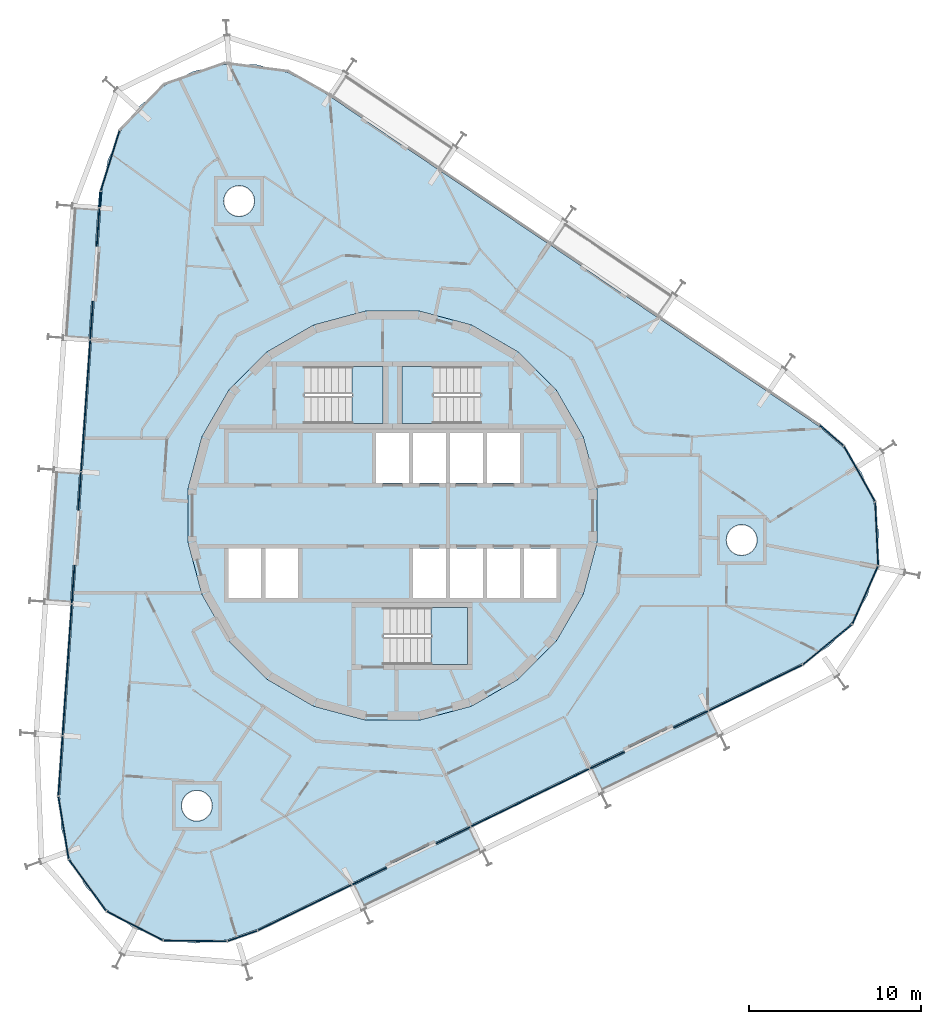
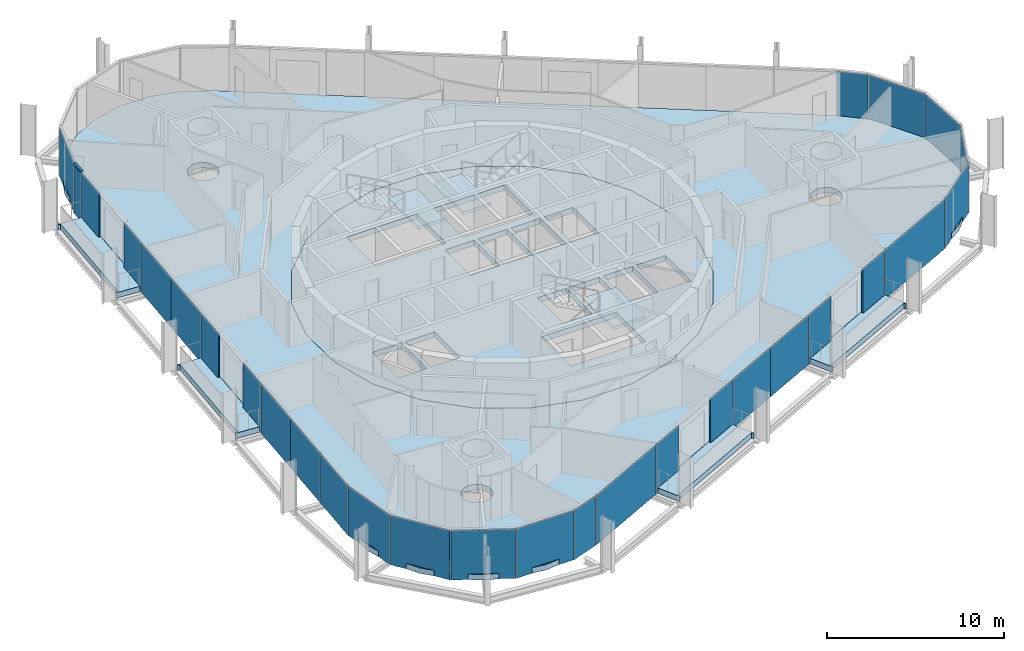
# One storey, part 10 of 17: 29 plates, 9 slabs, 1 member, 8 elements without a shape of their own.
"""IFC4 building model written with IfcOpenShell, lengths in metres."""

from ifc_helpers import new_model, si_unit, direction, frame, origin, origin_2d, place, context, subcontext, project, spatial, polyline, rectangle, outline, extrude, material, layer, layer_set, material_profile, profile_set, type_object, element, aggregate, save


model = new_model("IFC4")

# Units and contexts
model_context = context("Model", 3, precision=1e-05, world=origin(), true_north=direction((0.0, 1.0)))
body_context = subcontext(model_context, "Body", "Model", "MODEL_VIEW")
ifc_project = project(units=[si_unit("LENGTHUNIT", "METRE"), si_unit("AREAUNIT", "SQUARE_METRE"), si_unit("VOLUMEUNIT", "CUBIC_METRE"), si_unit("PLANEANGLEUNIT", "RADIAN"), si_unit("MASSUNIT", "GRAM", prefix="KILO")], contexts=[model_context])

# Site, building, storey
site_placement = place(None, origin())
site = spatial("IfcSite", under=ifc_project, at=site_placement, CompositionType="ELEMENT")
building_placement = place(site_placement, origin())
building = spatial("IfcBuilding", under=site, at=building_placement, Name="Spindle Arch Residences", CompositionType="ELEMENT")
storey_placement = place(building_placement, frame((0.0, 0.0, 209.39990234375)))
storey = spatial("IfcBuildingStorey", under=building, at=storey_placement, Name="L53", CompositionType="ELEMENT", Elevation=209.39990234375)

# Curtain wall, member
ifc_material_1 = material(Name="Aluminium bronze unitised frame with tinted glass", Category="aluminium")
ifc_layer_1 = layer(ifc_material_1, 0.159912109375)
ifc_layer_set_1 = layer_set([ifc_layer_1], Name="CW-D corner wall on the fillet arcs")
curtain_wall_type_1 = type_object("IfcCurtainWallType", Name="CW-D corner wall on the fillet arcs", PredefinedType="NOTDEFINED", material=ifc_layer_set_1)
curtain_wall_1_placement = place(storey_placement, origin())
curtain_wall_1 = element("IfcCurtainWall", 1, at=curtain_wall_1_placement, inside=storey, type_object=curtain_wall_type_1, Name="CW-D L53 run 3", PredefinedType="NOTDEFINED")
ifc_material_2 = material(Name="Aluminium bronze anodised transom", Category="aluminium")
ifc_material_profile = material_profile(ifc_material_2, rectangle(XDim=0.159912109375, YDim=0.1201171875, at=origin_2d()), Name="TR 120x160")
ifc_profile_set = profile_set([ifc_material_profile], Name="Aluminium bronze anodised transom")
member_type = type_object("IfcMemberType", Name="Bronze transom 120x160", PredefinedType="USERDEFINED", material=ifc_profile_set)
member_placement = place(storey_placement, frame((-16.98828125, 18.83447265625, 3.06005859375), z_axis=(-0.069692035463, -0.997568554132, 0.0), x_axis=(0.997568554132, -0.069692035463, 0.0)))
member = element("IfcMember", 2, at=member_placement, type_object=member_type, Name="CW-D transom 05", ObjectType="TRANSOM", PredefinedType="USERDEFINED", context=body_context, shape_type="SweptSolid", body=[
    extrude(rectangle(XDim=0.159912109375, YDim=0.1201171875, at=origin_2d()), origin(), (0.0, 0.0, 1.0), 0.90380859375),
])

# Slabs
ifc_material_3 = material(Name="Concrete C40/50", Category="concrete")
ifc_layer_2 = layer(ifc_material_3, 0.3798828125)
ifc_layer_set_2 = layer_set([ifc_layer_2], Name="Balcony slab 380")
slab_type_1 = type_object("IfcSlabType", Name="Balcony slab 380", PredefinedType="FLOOR", material=ifc_layer_set_2)
slab_1_placement = place(storey_placement, frame((0.0, 0.0, -0.3798828125)))
element("IfcSlab", 3, at=slab_1_placement, inside=storey, type_object=slab_type_1, Name="Balcony L53 bay 1", PredefinedType="FLOOR", context=body_context, shape_type="SweptSolid", body=[
    extrude(outline(polyline([(12.21826171875, -16.1044921875), (12.28564453125, -16.07177734375), (12.2197265625, -15.936767578125), (18.865234375, -12.695556640625), (18.930908203125, -12.83056640625), (18.99853515625, -12.797607421875), (18.34521484375, -11.45849609375), (16.393310546875, -12.410400390625), (16.322998046875, -12.2666015625), (13.447021484375, -13.66943359375), (13.51708984375, -13.813232421875), (11.56494140625, -14.765380859375), (12.21826171875, -16.1044921875)])), origin(), (0.0, 0.0, 1.0), 0.3798828125),
])
slab_2_placement = place(storey_placement, frame((0.0, 0.0, -0.3798828125)))
element("IfcSlab", 4, at=slab_2_placement, inside=storey, type_object=slab_type_1, Name="Balcony L53 bay 13", PredefinedType="FLOOR", context=body_context, shape_type="SweptSolid", body=[
    extrude(outline(polyline([(-18.624755859375, 17.9375), (-18.630126953125, 17.86279296875), (-18.48046875, 17.852294921875), (-18.996337890625, 10.4765625), (-19.145751953125, 10.487060546875), (-19.151123046875, 10.412353515625), (-17.664794921875, 10.308349609375), (-17.51318359375, 12.474853515625), (-17.353515625, 12.4638671875), (-17.13037109375, 15.656005859375), (-17.2900390625, 15.6669921875), (-17.138427734375, 17.833740234375), (-18.624755859375, 17.9375)])), origin(), (0.0, 0.0, 1.0), 0.3798828125),
])
slab_3_placement = place(storey_placement, frame((0.0, 0.0, -0.3798828125)))
element("IfcSlab", 5, at=slab_3_placement, inside=storey, type_object=slab_type_1, Name="Balcony L53 bay 15", PredefinedType="FLOOR", context=body_context, shape_type="SweptSolid", body=[
    extrude(outline(polyline([(-19.6982421875, 2.587646484375), (-19.703369140625, 2.512939453125), (-19.553955078125, 2.50244140625), (-20.069580078125, -4.873291015625), (-20.21923828125, -4.86279296875), (-20.224365234375, -4.937744140625), (-18.738037109375, -5.04150390625), (-18.586669921875, -2.875), (-18.427001953125, -2.88623046875), (-18.203857421875, 0.305908203125), (-18.36328125, 0.317138671875), (-18.2119140625, 2.483642578125), (-19.6982421875, 2.587646484375)])), origin(), (0.0, 0.0, 1.0), 0.3798828125),
])
slab_4_placement = place(storey_placement, frame((0.0, 0.0, -0.3798828125)))
element("IfcSlab", 6, at=slab_4_placement, inside=storey, type_object=slab_type_1, Name="Balcony L53 bay 21", PredefinedType="FLOOR", context=body_context, shape_type="SweptSolid", body=[
    extrude(outline(polyline([(-1.612060546875, -22.849853515625), (-1.54443359375, -22.817138671875), (-1.6103515625, -22.68212890625), (5.03515625, -19.441162109375), (5.100830078125, -19.575927734375), (5.168212890625, -19.54296875), (4.51513671875, -18.203857421875), (2.56298828125, -19.15576171875), (2.492919921875, -19.011962890625), (-0.38330078125, -20.414794921875), (-0.31298828125, -20.55859375), (-2.26513671875, -21.5107421875), (-1.612060546875, -22.849853515625)])), origin(), (0.0, 0.0, 1.0), 0.3798828125),
])
ifc_material_4 = material(Name="Concrete C50/60", Category="concrete")
ifc_layer_3 = layer(ifc_material_4, 0.3798828125)
ifc_layer_set_3 = layer_set([ifc_layer_3], Name="Core floor slab 380")
slab_type_2 = type_object("IfcSlabType", Name="Core floor slab 380", PredefinedType="FLOOR", material=ifc_layer_set_3)
slab_5_placement = place(storey_placement, frame((0.0, 0.0, -0.3798828125)))
element("IfcSlab", 7, at=slab_5_placement, inside=storey, type_object=slab_type_2, Name="Core floor L53", PredefinedType="FLOOR", context=body_context, shape_type="SweptSolid", body=[
    extrude(outline(polyline([(1.56640625, -11.897216796875), (4.59228515625, -11.086669921875), (7.30517578125, -9.520263671875), (9.520263671875, -7.30517578125), (11.086669921875, -4.59228515625), (11.897216796875, -1.56640625), (11.897216796875, 1.56640625), (11.086669921875, 4.59228515625), (9.520263671875, 7.30517578125), (7.30517578125, 9.520263671875), (4.59228515625, 11.086669921875), (1.56640625, 11.897216796875), (-1.56640625, 11.897216796875), (-4.59228515625, 11.086669921875), (-7.30517578125, 9.520263671875), (-9.520263671875, 7.30517578125), (-11.086669921875, 4.59228515625), (-11.897216796875, 1.56640625), (-11.897216796875, -1.56640625), (-11.086669921875, -4.59228515625), (-9.520263671875, -7.30517578125), (-7.30517578125, -9.520263671875), (-4.59228515625, -11.086669921875), (-1.56640625, -11.897216796875), (1.56640625, -11.897216796875)]), holes=[polyline([(-0.949951171875, 1.89990234375), (0.949951171875, 1.89990234375), (0.949951171875, 4.800048828125), (-0.949951171875, 4.800048828125), (-0.949951171875, 1.89990234375)]), polyline([(1.199951171875, 1.89990234375), (3.10009765625, 1.89990234375), (3.10009765625, 4.800048828125), (1.199951171875, 4.800048828125), (1.199951171875, 1.89990234375)]), polyline([(3.35009765625, 1.89990234375), (5.25, 1.89990234375), (5.25, 4.800048828125), (3.35009765625, 4.800048828125), (3.35009765625, 1.89990234375)]), polyline([(5.5, 1.89990234375), (7.39990234375, 1.89990234375), (7.39990234375, 4.800048828125), (5.5, 4.800048828125), (5.5, 1.89990234375)]), polyline([(-9.550048828125, -4.800048828125), (-7.64990234375, -4.800048828125), (-7.64990234375, -1.89990234375), (-9.550048828125, -1.89990234375), (-9.550048828125, -4.800048828125)]), polyline([(-7.39990234375, -4.800048828125), (-5.5, -4.800048828125), (-5.5, -1.89990234375), (-7.39990234375, -1.89990234375), (-7.39990234375, -4.800048828125)]), polyline([(1.199951171875, -4.800048828125), (3.10009765625, -4.800048828125), (3.10009765625, -1.89990234375), (1.199951171875, -1.89990234375), (1.199951171875, -4.800048828125)]), polyline([(3.35009765625, -4.800048828125), (5.25, -4.800048828125), (5.25, -1.89990234375), (3.35009765625, -1.89990234375), (3.35009765625, -4.800048828125)]), polyline([(5.5, -4.800048828125), (7.39990234375, -4.800048828125), (7.39990234375, -1.89990234375), (5.5, -1.89990234375), (5.5, -4.800048828125)]), polyline([(7.64990234375, -4.800048828125), (9.550048828125, -4.800048828125), (9.550048828125, -1.89990234375), (7.64990234375, -1.89990234375), (7.64990234375, -4.800048828125)]), polyline([(5.1298828125, 8.669921875), (0.550048828125, 8.669921875), (0.550048828125, 5.35009765625), (5.1298828125, 5.35009765625), (5.1298828125, 8.669921875)]), polyline([(-5.1298828125, 5.35009765625), (-0.550048828125, 5.35009765625), (-0.550048828125, 8.669921875), (-5.1298828125, 8.669921875), (-5.1298828125, 5.35009765625)]), polyline([(-0.530029296875, -8.669921875), (4.35009765625, -8.669921875), (4.35009765625, -5.35009765625), (-0.530029296875, -5.35009765625), (-0.530029296875, -8.669921875)])]), origin(), (0.0, 0.0, 1.0), 0.3798828125),
])

# Stair, slab
ifc_material_5 = material(Name="Concrete C50/60", Category="concrete")
stair_type = type_object("IfcStairType", Name="Exit stair 16 risers", PredefinedType="HALF_TURN_STAIR", material=ifc_material_5)
stair_1_placement = place(storey_placement, origin())
stair_1 = element("IfcStair", 8, at=stair_1_placement, inside=storey, type_object=stair_type, Name="L53 Exit stair ST1", PredefinedType="HALF_TURN_STAIR")
ifc_material_6 = material(Name="Concrete C50/60", Category="concrete")
ifc_layer_4 = layer(ifc_material_6, 0.219970703125)
ifc_layer_set_4 = layer_set([ifc_layer_4], Name="Exit stair landing 220")
slab_type_3 = type_object("IfcSlabType", Name="Exit stair landing 220", PredefinedType="LANDING", material=ifc_layer_set_4)
slab_6_placement = place(storey_placement, frame((0.0, 0.0, 1.530029296875)))
slab_6 = element("IfcSlab", 9, at=slab_6_placement, type_object=slab_type_3, Name="ST1 landing 1", PredefinedType="LANDING", context=body_context, shape_type="SweptSolid", body=[
    extrude(outline(polyline([(2.3701171875, 8.669921875), (0.550048828125, 8.669921875), (0.550048828125, 5.35009765625), (2.3701171875, 5.35009765625), (2.3701171875, 8.669921875)])), origin(), (0.0, 0.0, 1.0), 0.219970703125),
])
aggregate(stair_1, [slab_6])

stair_2_placement = place(storey_placement, origin())
stair_2 = element("IfcStair", 10, at=stair_2_placement, inside=storey, type_object=stair_type, Name="L53 Exit stair ST2", PredefinedType="HALF_TURN_STAIR")
slab_7_placement = place(storey_placement, frame((0.0, 0.0, 1.530029296875)))
slab_7 = element("IfcSlab", 11, at=slab_7_placement, type_object=slab_type_3, Name="ST2 landing 1", PredefinedType="LANDING", context=body_context, shape_type="SweptSolid", body=[
    extrude(outline(polyline([(-2.3701171875, 5.35009765625), (-0.550048828125, 5.35009765625), (-0.550048828125, 8.669921875), (-2.3701171875, 8.669921875), (-2.3701171875, 5.35009765625)])), origin(), (0.0, 0.0, 1.0), 0.219970703125),
])
aggregate(stair_2, [slab_7])

stair_3_placement = place(storey_placement, origin())
stair_3 = element("IfcStair", 12, at=stair_3_placement, inside=storey, type_object=stair_type, Name="L53 Exit stair ST3", PredefinedType="HALF_TURN_STAIR")
slab_8_placement = place(storey_placement, frame((0.0, 0.0, 1.530029296875)))
slab_8 = element("IfcSlab", 13, at=slab_8_placement, type_object=slab_type_3, Name="ST3 landing 1", PredefinedType="LANDING", context=body_context, shape_type="SweptSolid", body=[
    extrude(outline(polyline([(2.22998046875, -8.669921875), (4.35009765625, -8.669921875), (4.35009765625, -5.35009765625), (2.22998046875, -5.35009765625), (2.22998046875, -8.669921875)])), origin(), (0.0, 0.0, 1.0), 0.219970703125),
])
aggregate(stair_3, [slab_8])

# Slab
ifc_material_7 = material(Name="Concrete C40/50", Category="concrete")
ifc_layer_5 = layer(ifc_material_7, 0.3798828125)
ifc_layer_set_5 = layer_set([ifc_layer_5], Name="Floor slab 380")
slab_type_4 = type_object("IfcSlabType", Name="Floor slab 380", PredefinedType="FLOOR", material=ifc_layer_set_5)
slab_9_placement = place(storey_placement, frame((0.0, 0.0, -0.3798828125)))
element("IfcSlab", 14, at=slab_9_placement, inside=storey, type_object=slab_type_4, Name="Floor slab L53", PredefinedType="FLOOR", context=body_context, shape_type="SweptSolid", body=[
    extrude(outline(polyline([(-9.6318359375, -24.685791015625), (-11.47900390625, -24.8798828125), (-13.3212890625, -24.642822265625), (-15.059326171875, -23.9873046875), (-16.599365234375, -22.948486328125), (-17.858154296875, -21.582763671875), (-18.76806640625, -19.96337890625), (-19.280029296875, -18.177978515625), (-19.366455078125, -16.322509765625), (-16.906494140625, 18.85888671875), (-16.5625, 20.684326171875), (-15.80712890625, 22.381103515625), (-14.6806640625, 23.858154296875), (-13.243896484375, 25.035400390625), (-11.574462890625, 25.849609375), (-9.76220703125, 26.257080078125), (-7.90478515625, 26.2353515625), (-6.1025390625, 25.785888671875), (-4.452392578125, 24.93310546875), (24.785400390625, 5.2119140625), (26.1943359375, 4.00146484375), (27.2861328125, 2.498779296875), (28.001953125, 0.784912109375), (28.30322265625, -1.048095703125), (28.173583984375, -2.901123046875), (27.620361328125, -4.67431640625), (26.6728515625, -6.27197265625), (25.382568359375, -7.608154296875), (23.81884765625, -8.610595703125), (7.969970703125, -16.3408203125), (-7.87890625, -24.07080078125), (-9.6318359375, -24.685791015625)]), holes=[polyline([(7.30517578125, -9.520263671875), (9.520263671875, -7.30517578125), (11.086669921875, -4.59228515625), (11.897216796875, -1.56640625), (11.897216796875, 1.56640625), (11.086669921875, 4.59228515625), (9.520263671875, 7.30517578125), (7.30517578125, 9.520263671875), (4.59228515625, 11.086669921875), (1.56640625, 11.897216796875), (-1.56640625, 11.897216796875), (-4.59228515625, 11.086669921875), (-7.30517578125, 9.520263671875), (-9.520263671875, 7.30517578125), (-11.086669921875, 4.59228515625), (-11.897216796875, 1.56640625), (-11.897216796875, -1.56640625), (-11.086669921875, -4.59228515625), (-9.520263671875, -7.30517578125), (-7.30517578125, -9.520263671875), (-4.59228515625, -11.086669921875), (-1.56640625, -11.897216796875), (1.56640625, -11.897216796875), (4.59228515625, -11.086669921875), (7.30517578125, -9.520263671875)]), polyline([(-10.6376953125, -17.380615234375), (-10.554443359375, -17.224853515625), (-10.50341796875, -17.05615234375), (-10.486083984375, -16.880615234375), (-10.50341796875, -16.704833984375), (-10.554443359375, -16.5361328125), (-10.6376953125, -16.380615234375), (-10.74951171875, -16.244140625), (-10.885986328125, -16.132080078125), (-11.04150390625, -16.049072265625), (-11.21044921875, -15.997802734375), (-11.385986328125, -15.98046875), (-11.5615234375, -15.997802734375), (-11.73046875, -16.049072265625), (-11.885986328125, -16.132080078125), (-12.0224609375, -16.244140625), (-12.13427734375, -16.380615234375), (-12.217529296875, -16.5361328125), (-12.268798828125, -16.704833984375), (-12.285888671875, -16.880615234375), (-12.268798828125, -17.05615234375), (-12.217529296875, -17.224853515625), (-12.13427734375, -17.380615234375), (-12.0224609375, -17.516845703125), (-11.885986328125, -17.62890625), (-11.73046875, -17.7119140625), (-11.5615234375, -17.76318359375), (-11.385986328125, -17.780517578125), (-11.21044921875, -17.76318359375), (-11.04150390625, -17.7119140625), (-10.885986328125, -17.62890625), (-10.74951171875, -17.516845703125), (-10.6376953125, -17.380615234375)]), polyline([(-8.177490234375, 17.80078125), (-8.094482421875, 17.956298828125), (-8.043212890625, 18.125244140625), (-8.02587890625, 18.30078125), (-8.043212890625, 18.476318359375), (-8.094482421875, 18.645263671875), (-8.177490234375, 18.80078125), (-8.28955078125, 18.937255859375), (-8.42578125, 19.049072265625), (-8.58154296875, 19.13232421875), (-8.750244140625, 19.18359375), (-8.92578125, 19.20068359375), (-9.1015625, 19.18359375), (-9.270263671875, 19.13232421875), (-9.42578125, 19.049072265625), (-9.562255859375, 18.937255859375), (-9.67431640625, 18.80078125), (-9.75732421875, 18.645263671875), (-9.80859375, 18.476318359375), (-9.825927734375, 18.30078125), (-9.80859375, 18.125244140625), (-9.75732421875, 17.956298828125), (-9.67431640625, 17.80078125), (-9.562255859375, 17.664306640625), (-9.42578125, 17.552490234375), (-9.270263671875, 17.46923828125), (-9.1015625, 17.418212890625), (-8.92578125, 17.40087890625), (-8.750244140625, 17.418212890625), (-8.58154296875, 17.46923828125), (-8.42578125, 17.552490234375), (-8.28955078125, 17.664306640625), (-8.177490234375, 17.80078125)]), polyline([(20.9482421875, -2.056640625), (21.060302734375, -1.92041015625), (21.143310546875, -1.7646484375), (21.194580078125, -1.595947265625), (21.2119140625, -1.42041015625), (21.194580078125, -1.24462890625), (21.143310546875, -1.075927734375), (21.060302734375, -0.92041015625), (20.9482421875, -0.783935546875), (20.81201171875, -0.672119140625), (20.65625, -0.5888671875), (20.487548828125, -0.53759765625), (20.31201171875, -0.520263671875), (20.13623046875, -0.53759765625), (19.967529296875, -0.5888671875), (19.81201171875, -0.672119140625), (19.675537109375, -0.783935546875), (19.563720703125, -0.92041015625), (19.48046875, -1.075927734375), (19.42919921875, -1.24462890625), (19.411865234375, -1.42041015625), (19.42919921875, -1.595947265625), (19.48046875, -1.7646484375), (19.563720703125, -1.92041015625), (19.675537109375, -2.056640625), (19.81201171875, -2.168701171875), (19.967529296875, -2.251708984375), (20.13623046875, -2.302978515625), (20.31201171875, -2.3203125), (20.487548828125, -2.302978515625), (20.65625, -2.251708984375), (20.81201171875, -2.168701171875), (20.9482421875, -2.056640625)])]), origin(), (0.0, 0.0, 1.0), 0.3798828125),
])

# Curtain wall, plates
curtain_wall_2_placement = place(storey_placement, origin())
curtain_wall_2 = element("IfcCurtainWall", 15, at=curtain_wall_2_placement, inside=storey, type_object=curtain_wall_type_1, Name="CW-D L53 run 1", PredefinedType="NOTDEFINED")
ifc_material_8 = material(Name="Tinted double glazing over non-combustible spandrel zone with 0.55 mm stainless steel cavity fire stop (K0)", Category="steel")
ifc_layer_6 = layer(ifc_material_8, 0.070068359375)
ifc_layer_set_6 = layer_set([ifc_layer_6], Name="Unitised glass panel with spandrel zone and stainless cavity fire stop")
plate_type = type_object("IfcPlateType", Name="Unitised glass panel with spandrel zone and stainless cavity fire stop", PredefinedType="CURTAIN_PANEL", material=ifc_layer_set_6)
plate_1_placement = place(storey_placement, frame((21.11572265625, -10.01806640625, -0.3798828125), z_axis=(0.0, 0.0, 1.0), x_axis=(0.898794046299, 0.438371146789, 0.0)))
plate_1 = element("IfcPlate", 16, at=plate_1_placement, type_object=plate_type, Name="CW-D unit 00", PredefinedType="CURTAIN_PANEL", context=body_context, shape_type="SweptSolid", body=[
    extrude(rectangle(XDim=6.032958984375, YDim=0.070068359375, at=origin_2d()), origin(), (0.0, 0.0, 1.0), 3.3798828125),
])
plate_2_placement = place(storey_placement, frame((25.295166015625, -7.50146484375, -0.3798828125), z_axis=(0.0, 0.0, 1.0), x_axis=(0.773471595747, 0.633830963722, 0.0)))
plate_2 = element("IfcPlate", 17, at=plate_2_placement, type_object=plate_type, Name="CW-D unit 01", PredefinedType="CURTAIN_PANEL", context=body_context, shape_type="SweptSolid", body=[
    extrude(rectangle(XDim=3.666748046875, YDim=0.070068359375, at=origin_2d()), origin(), (0.0, 0.0, 1.0), 3.3798828125),
])
plate_3_placement = place(storey_placement, frame((27.494384765625, -4.6181640625, -0.3798828125), z_axis=(0.0, 0.0, 1.0), x_axis=(0.406736642422, 0.913545457934, 0.0)))
plate_3 = element("IfcPlate", 18, at=plate_3_placement, type_object=plate_type, Name="CW-D unit 02", PredefinedType="CURTAIN_PANEL", context=body_context, shape_type="SweptSolid", body=[
    extrude(rectangle(XDim=3.666748046875, YDim=0.070068359375, at=origin_2d()), origin(), (0.0, 0.0, 1.0), 3.3798828125),
])
plate_4_placement = place(storey_placement, frame((28.16552734375, -1.054443359375, -0.3798828125), z_axis=(0.0, 0.0, 1.0), x_axis=(-0.046525313877, 0.99891711126, 0.0)))
plate_4 = element("IfcPlate", 19, at=plate_4_placement, type_object=plate_type, Name="CW-D unit 03", PredefinedType="CURTAIN_PANEL", context=body_context, shape_type="SweptSolid", body=[
    extrude(rectangle(XDim=3.666748046875, YDim=0.070068359375, at=origin_2d()), origin(), (0.0, 0.0, 1.0), 3.3798828125),
])
plate_5_placement = place(storey_placement, frame((27.166015625, 2.43115234375, -0.3798828125), z_axis=(0.0, 0.0, 1.0), x_axis=(-0.489889716377, 0.871784414743, 0.0)))
plate_5 = element("IfcPlate", 20, at=plate_5_placement, type_object=plate_type, Name="CW-D unit 04", PredefinedType="CURTAIN_PANEL", context=body_context, shape_type="SweptSolid", body=[
    extrude(rectangle(XDim=3.666748046875, YDim=0.070068359375, at=origin_2d()), origin(), (0.0, 0.0, 1.0), 3.3798828125),
])
plate_6_placement = place(storey_placement, frame((25.541748046875, 4.6669921875, -0.3798828125), z_axis=(0.0, 0.0, 1.0), x_axis=(-0.758513582867, 0.651657229382, 0.0)))
plate_6 = element("IfcPlate", 21, at=plate_6_placement, type_object=plate_type, Name="CW-D unit 05", PredefinedType="CURTAIN_PANEL", context=body_context, shape_type="SweptSolid", body=[
    extrude(rectangle(XDim=1.816162109375, YDim=0.070068359375, at=origin_2d()), origin(), (0.0, 0.0, 1.0), 3.3798828125),
])
aggregate(curtain_wall_2, [plate_1, plate_2, plate_3, plate_4, plate_5, plate_6])

# Plate
plate_7_placement = place(storey_placement, frame((-16.43115234375, 20.643310546875, -0.3798828125), z_axis=(0.0, 0.0, 1.0), x_axis=(-0.297930275218, -0.954587634064, 0.0)))
plate_7 = element("IfcPlate", 22, at=plate_7_placement, type_object=plate_type, Name="CW-D unit 04", PredefinedType="CURTAIN_PANEL", context=body_context, shape_type="SweptSolid", body=[
    extrude(rectangle(XDim=3.666748046875, YDim=0.070068359375, at=origin_2d()), origin(), (0.0, 0.0, 1.0), 3.3798828125),
])

plate_8_placement = place(storey_placement, frame((-17.019775390625, 18.3837890625, -0.3798828125), z_axis=(0.0, 0.0, 1.0), x_axis=(-0.069756473744, -0.99756405026, 0.0)))
plate_8 = element("IfcPlate", 23, at=plate_8_placement, type_object=plate_type, Name="CW-D unit 05", PredefinedType="CURTAIN_PANEL", context=body_context, shape_type="SweptSolid", body=[
    extrude(rectangle(XDim=0.90380859375, YDim=0.070068359375, at=origin_2d()), origin(), (0.0, 0.0, 1.0), 3.3798828125),
])

aggregate(curtain_wall_1, [plate_7, member, plate_8])

# Curtain wall, plates
ifc_material_9 = material(Name="Aluminium bronze unitised frame with tinted glass", Category="aluminium")
ifc_layer_7 = layer(ifc_material_9, 0.159912109375)
ifc_layer_set_7 = layer_set([ifc_layer_7], Name="CW-C typical residential unitised wall")
curtain_wall_type_2 = type_object("IfcCurtainWallType", Name="CW-C typical residential unitised wall", PredefinedType="NOTDEFINED", material=ifc_layer_set_7)
curtain_wall_3_placement = place(storey_placement, origin())
curtain_wall_3 = element("IfcCurtainWall", 24, at=curtain_wall_3_placement, inside=storey, type_object=curtain_wall_type_2, Name="CW-C L53 run 4", PredefinedType="NOTDEFINED")
plate_9_placement = place(storey_placement, frame((-17.1328125, 16.767333984375, -0.3798828125), z_axis=(0.0, 0.0, 1.0), x_axis=(-0.069756473744, -0.99756405026, 0.0)))
plate_9 = element("IfcPlate", 25, at=plate_9_placement, type_object=plate_type, Name="CW-C unit 12L", PredefinedType="CURTAIN_PANEL", context=body_context, shape_type="SweptSolid", body=[
    extrude(rectangle(XDim=2.216796875, YDim=0.070068359375, at=origin_2d()), origin(), (0.0, 0.0, 1.0), 3.3798828125),
])
plate_10_placement = place(storey_placement, frame((-17.5107421875, 11.363525390625, -0.3798828125), z_axis=(0.0, 0.0, 1.0), x_axis=(-0.069756473744, -0.99756405026, 0.0)))
plate_10 = element("IfcPlate", 26, at=plate_10_placement, type_object=plate_type, Name="CW-C unit 12R", PredefinedType="CURTAIN_PANEL", context=body_context, shape_type="SweptSolid", body=[
    extrude(rectangle(XDim=2.216796875, YDim=0.070068359375, at=origin_2d()), origin(), (0.0, 0.0, 1.0), 3.3798828125),
])
plate_11_placement = place(storey_placement, frame((-17.725341796875, 8.294189453125, -0.3798828125), z_axis=(0.0, 0.0, 1.0), x_axis=(-0.069756473744, -0.99756405026, 0.0)))
plate_11 = element("IfcPlate", 27, at=plate_11_placement, type_object=plate_type, Name="CW-C unit 13A", PredefinedType="CURTAIN_PANEL", context=body_context, shape_type="SweptSolid", body=[
    extrude(rectangle(XDim=3.81689453125, YDim=0.070068359375, at=origin_2d()), origin(), (0.0, 0.0, 1.0), 3.3798828125),
])
plate_12_placement = place(storey_placement, frame((-17.99169921875, 4.486572265625, -0.3798828125), z_axis=(0.0, 0.0, 1.0), x_axis=(-0.069756473744, -0.99756405026, 0.0)))
plate_12 = element("IfcPlate", 28, at=plate_12_placement, type_object=plate_type, Name="CW-C unit 13B", PredefinedType="CURTAIN_PANEL", context=body_context, shape_type="SweptSolid", body=[
    extrude(rectangle(XDim=3.81689453125, YDim=0.070068359375, at=origin_2d()), origin(), (0.0, 0.0, 1.0), 3.3798828125),
])
plate_13_placement = place(storey_placement, frame((-18.206298828125, 1.417236328125, -0.3798828125), z_axis=(0.0, 0.0, 1.0), x_axis=(-0.069756473744, -0.99756405026, 0.0)))
plate_13 = element("IfcPlate", 29, at=plate_13_placement, type_object=plate_type, Name="CW-C unit 14L", PredefinedType="CURTAIN_PANEL", context=body_context, shape_type="SweptSolid", body=[
    extrude(rectangle(XDim=2.216796875, YDim=0.070068359375, at=origin_2d()), origin(), (0.0, 0.0, 1.0), 3.3798828125),
])
plate_14_placement = place(storey_placement, frame((-18.583984375, -3.986328125, -0.3798828125), z_axis=(0.0, 0.0, 1.0), x_axis=(-0.069756473744, -0.99756405026, 0.0)))
plate_14 = element("IfcPlate", 30, at=plate_14_placement, type_object=plate_type, Name="CW-C unit 14R", PredefinedType="CURTAIN_PANEL", context=body_context, shape_type="SweptSolid", body=[
    extrude(rectangle(XDim=2.216796875, YDim=0.070068359375, at=origin_2d()), origin(), (0.0, 0.0, 1.0), 3.3798828125),
])
plate_15_placement = place(storey_placement, frame((-18.798828125, -7.0556640625, -0.3798828125), z_axis=(0.0, 0.0, 1.0), x_axis=(-0.069756473744, -0.99756405026, 0.0)))
plate_15 = element("IfcPlate", 31, at=plate_15_placement, type_object=plate_type, Name="CW-C unit 15A", PredefinedType="CURTAIN_PANEL", context=body_context, shape_type="SweptSolid", body=[
    extrude(rectangle(XDim=3.81689453125, YDim=0.070068359375, at=origin_2d()), origin(), (0.0, 0.0, 1.0), 3.3798828125),
])
plate_16_placement = place(storey_placement, frame((-19.06494140625, -10.86328125, -0.3798828125), z_axis=(0.0, 0.0, 1.0), x_axis=(-0.069756473744, -0.99756405026, 0.0)))
plate_16 = element("IfcPlate", 32, at=plate_16_placement, type_object=plate_type, Name="CW-C unit 15B", PredefinedType="CURTAIN_PANEL", context=body_context, shape_type="SweptSolid", body=[
    extrude(rectangle(XDim=3.81689453125, YDim=0.070068359375, at=origin_2d()), origin(), (0.0, 0.0, 1.0), 3.3798828125),
])
aggregate(curtain_wall_3, [plate_9, plate_10, plate_11, plate_12, plate_13, plate_14, plate_15, plate_16])

curtain_wall_4_placement = place(storey_placement, origin())
curtain_wall_4 = element("IfcCurtainWall", 33, at=curtain_wall_4_placement, inside=storey, type_object=curtain_wall_type_1, Name="CW-D L53 run 5", PredefinedType="NOTDEFINED")
plate_17_placement = place(storey_placement, frame((-19.3232421875, -14.556884765625, -0.3798828125), z_axis=(0.0, 0.0, 1.0), x_axis=(-0.069756473744, -0.99756405026, 0.0)))
plate_17 = element("IfcPlate", 34, at=plate_17_placement, type_object=plate_type, Name="CW-D unit 00", PredefinedType="CURTAIN_PANEL", context=body_context, shape_type="SweptSolid", body=[
    extrude(rectangle(XDim=3.468505859375, YDim=0.070068359375, at=origin_2d()), origin(), (0.0, 0.0, 1.0), 3.3798828125),
])
plate_18_placement = place(storey_placement, frame((-19.14404296875, -18.155517578125, -0.3798828125), z_axis=(0.0, 0.0, 1.0), x_axis=(0.162177925821, -0.986761531666, 0.0)))
plate_18 = element("IfcPlate", 35, at=plate_18_placement, type_object=plate_type, Name="CW-D unit 01", PredefinedType="CURTAIN_PANEL", context=body_context, shape_type="SweptSolid", body=[
    extrude(rectangle(XDim=3.666748046875, YDim=0.070068359375, at=origin_2d()), origin(), (0.0, 0.0, 1.0), 3.3798828125),
])
plate_19_placement = place(storey_placement, frame((-17.74658203125, -21.501708984375, -0.3798828125), z_axis=(0.0, 0.0, 1.0), x_axis=(0.587785254679, -0.809016992641, 0.0)))
plate_19 = element("IfcPlate", 36, at=plate_19_placement, type_object=plate_type, Name="CW-D unit 02", PredefinedType="CURTAIN_PANEL", context=body_context, shape_type="SweptSolid", body=[
    extrude(rectangle(XDim=3.666748046875, YDim=0.070068359375, at=origin_2d()), origin(), (0.0, 0.0, 1.0), 3.3798828125),
])
plate_20_placement = place(storey_placement, frame((-14.99609375, -23.86474609375, -0.3798828125), z_axis=(0.0, 0.0, 1.0), x_axis=(0.88835025098, -0.459166453025, 0.0)))
plate_20 = element("IfcPlate", 37, at=plate_20_placement, type_object=plate_type, Name="CW-D unit 03", PredefinedType="CURTAIN_PANEL", context=body_context, shape_type="SweptSolid", body=[
    extrude(rectangle(XDim=3.666748046875, YDim=0.070068359375, at=origin_2d()), origin(), (0.0, 0.0, 1.0), 3.3798828125),
])
plate_21_placement = place(storey_placement, frame((-11.4775390625, -24.7421875, -0.3798828125), z_axis=(0.0, 0.0, 1.0), x_axis=(0.999932308032, -0.011635263346, 0.0)))
plate_21 = element("IfcPlate", 38, at=plate_21_placement, type_object=plate_type, Name="CW-D unit 04", PredefinedType="CURTAIN_PANEL", context=body_context, shape_type="SweptSolid", body=[
    extrude(rectangle(XDim=3.666748046875, YDim=0.070068359375, at=origin_2d()), origin(), (0.0, 0.0, 1.0), 3.3798828125),
])
plate_22_placement = place(storey_placement, frame((-8.72900390625, -24.453369140625, -0.3798828125), z_axis=(0.0, 0.0, 1.0), x_axis=(0.943608504957, 0.33106342198, 0.0)))
plate_22 = element("IfcPlate", 39, at=plate_22_placement, type_object=plate_type, Name="CW-D unit 05", PredefinedType="CURTAIN_PANEL", context=body_context, shape_type="SweptSolid", body=[
    extrude(rectangle(XDim=1.816162109375, YDim=0.070068359375, at=origin_2d()), origin(), (0.0, 0.0, 1.0), 3.3798828125),
])
plate_23_placement = place(storey_placement, frame((-5.105712890625, -22.80712890625, -0.3798828125), z_axis=(0.0, 0.0, 1.0), x_axis=(0.898794046299, 0.438371146789, 0.0)))
plate_23 = element("IfcPlate", 40, at=plate_23_placement, type_object=plate_type, Name="CW-D unit 06", PredefinedType="CURTAIN_PANEL", context=body_context, shape_type="SweptSolid", body=[
    extrude(rectangle(XDim=6.032958984375, YDim=0.070068359375, at=origin_2d()), origin(), (0.0, 0.0, 1.0), 3.3798828125),
])
aggregate(curtain_wall_4, [plate_17, plate_18, plate_19, plate_20, plate_21, plate_22, plate_23])

curtain_wall_5_placement = place(storey_placement, origin())
curtain_wall_5 = element("IfcCurtainWall", 41, at=curtain_wall_5_placement, inside=storey, type_object=curtain_wall_type_2, Name="CW-C L53 run 6", PredefinedType="NOTDEFINED")
plate_24_placement = place(storey_placement, frame((-1.344482421875, -20.97265625, -0.3798828125), z_axis=(0.0, 0.0, 1.0), x_axis=(0.898794046299, 0.438371146789, 0.0)))
plate_24 = element("IfcPlate", 42, at=plate_24_placement, type_object=plate_type, Name="CW-C unit 20L", PredefinedType="CURTAIN_PANEL", context=body_context, shape_type="SweptSolid", body=[
    extrude(rectangle(XDim=2.216796875, YDim=0.070068359375, at=origin_2d()), origin(), (0.0, 0.0, 1.0), 3.3798828125),
])
plate_25_placement = place(storey_placement, frame((3.524169921875, -18.59814453125, -0.3798828125), z_axis=(0.0, 0.0, 1.0), x_axis=(0.898794046299, 0.438371146789, 0.0)))
plate_25 = element("IfcPlate", 43, at=plate_25_placement, type_object=plate_type, Name="CW-C unit 20R", PredefinedType="CURTAIN_PANEL", context=body_context, shape_type="SweptSolid", body=[
    extrude(rectangle(XDim=2.216796875, YDim=0.070068359375, at=origin_2d()), origin(), (0.0, 0.0, 1.0), 3.3798828125),
])
plate_26_placement = place(storey_placement, frame((6.289794921875, -17.249267578125, -0.3798828125), z_axis=(0.0, 0.0, 1.0), x_axis=(0.898794046299, 0.438371146789, 0.0)))
plate_26 = element("IfcPlate", 44, at=plate_26_placement, type_object=plate_type, Name="CW-C unit 21A", PredefinedType="CURTAIN_PANEL", context=body_context, shape_type="SweptSolid", body=[
    extrude(rectangle(XDim=3.81689453125, YDim=0.070068359375, at=origin_2d()), origin(), (0.0, 0.0, 1.0), 3.3798828125),
])
plate_27_placement = place(storey_placement, frame((9.72021484375, -15.576171875, -0.3798828125), z_axis=(0.0, 0.0, 1.0), x_axis=(0.898794046299, 0.438371146789, 0.0)))
plate_27 = element("IfcPlate", 45, at=plate_27_placement, type_object=plate_type, Name="CW-C unit 21B", PredefinedType="CURTAIN_PANEL", context=body_context, shape_type="SweptSolid", body=[
    extrude(rectangle(XDim=3.81689453125, YDim=0.070068359375, at=origin_2d()), origin(), (0.0, 0.0, 1.0), 3.3798828125),
])
plate_28_placement = place(storey_placement, frame((12.48583984375, -14.227294921875, -0.3798828125), z_axis=(0.0, 0.0, 1.0), x_axis=(0.898794046299, 0.438371146789, 0.0)))
plate_28 = element("IfcPlate", 46, at=plate_28_placement, type_object=plate_type, Name="CW-C unit 00L", PredefinedType="CURTAIN_PANEL", context=body_context, shape_type="SweptSolid", body=[
    extrude(rectangle(XDim=2.216796875, YDim=0.070068359375, at=origin_2d()), origin(), (0.0, 0.0, 1.0), 3.3798828125),
])
plate_29_placement = place(storey_placement, frame((17.3544921875, -11.852783203125, -0.3798828125), z_axis=(0.0, 0.0, 1.0), x_axis=(0.898794046299, 0.438371146789, 0.0)))
plate_29 = element("IfcPlate", 47, at=plate_29_placement, type_object=plate_type, Name="CW-C unit 00R", PredefinedType="CURTAIN_PANEL", context=body_context, shape_type="SweptSolid", body=[
    extrude(rectangle(XDim=2.216796875, YDim=0.070068359375, at=origin_2d()), origin(), (0.0, 0.0, 1.0), 3.3798828125),
])
aggregate(curtain_wall_5, [plate_24, plate_25, plate_26, plate_27, plate_28, plate_29])

save(model, "model.ifc")
